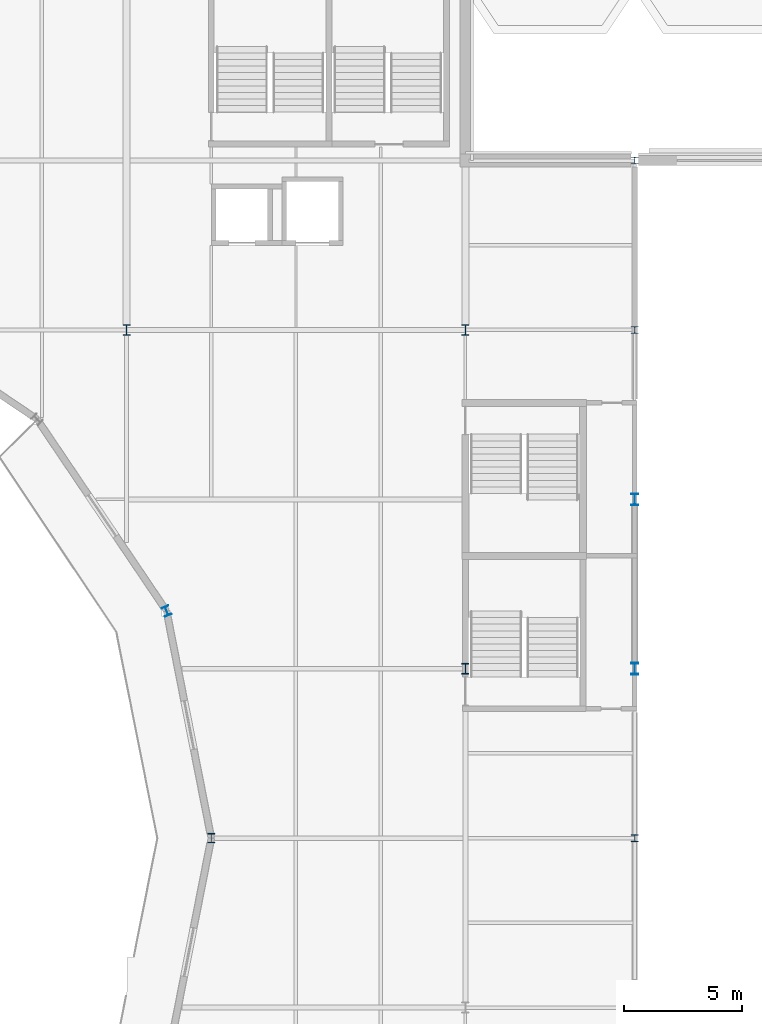
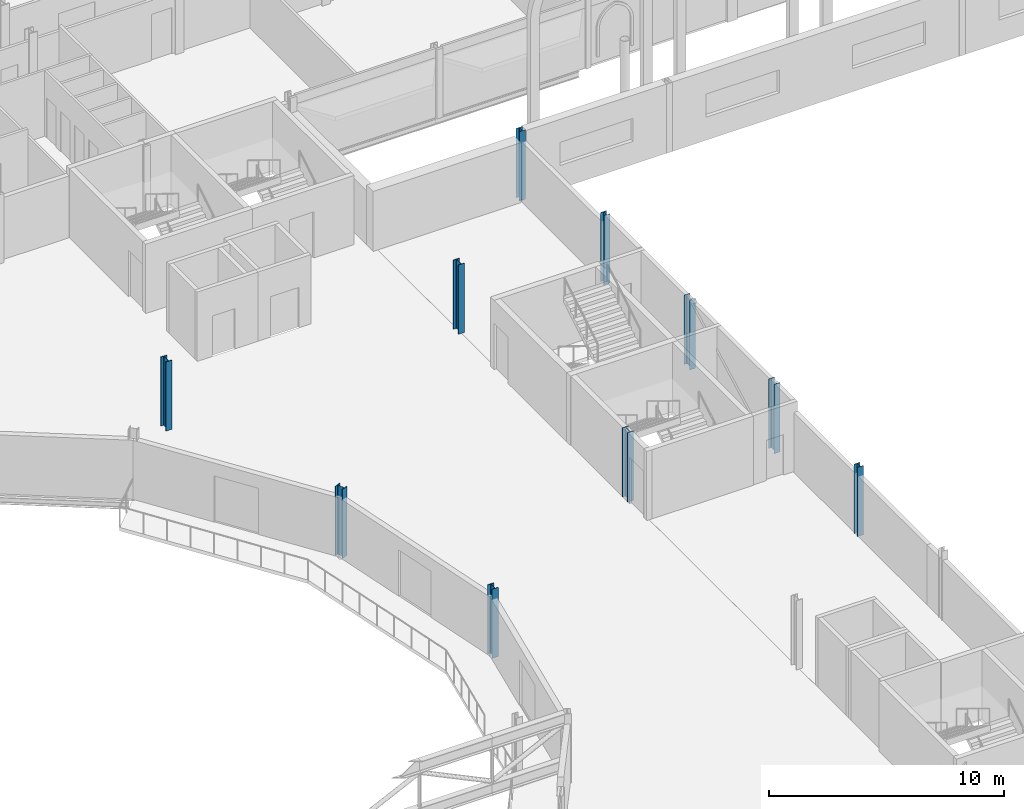
# One storey, part 12 of 143: 10 columns.
"""IFC4 building model written with IfcOpenShell, lengths in metres."""

from ifc_helpers import new_model, si_unit, direction, frame, origin, origin_2d, place, context, subcontext, project, spatial, i_section, extrude, material, material_profile, profile_set, type_object, element, save


model = new_model("IFC4")

# Units and contexts
model_context = context("Model", 3, precision=1e-05, world=origin(), true_north=direction((0.0, 1.0)))
body_context = subcontext(model_context, "Body", "Model", "MODEL_VIEW")
ifc_project = project(units=[si_unit("LENGTHUNIT", "METRE"), si_unit("AREAUNIT", "SQUARE_METRE"), si_unit("VOLUMEUNIT", "CUBIC_METRE"), si_unit("PLANEANGLEUNIT", "RADIAN"), si_unit("MASSUNIT", "GRAM", prefix="KILO")], contexts=[model_context])

# Site, building, storey
site_placement = place(None, origin())
site = spatial("IfcSite", under=ifc_project, at=site_placement, CompositionType="ELEMENT")
building_placement = place(site_placement, origin())
building = spatial("IfcBuilding", under=site, at=building_placement, Name="Kupolbacken Congress Centre", CompositionType="ELEMENT")
storey_placement = place(building_placement, frame((0.0, 0.0, 7.199951171875)))
storey = spatial("IfcBuildingStorey", under=building, at=storey_placement, Name="L02", CompositionType="ELEMENT", Elevation=7.199951171875)

# Columns
ifc_material_1 = material(Name="Steel S355", Category="steel")
ifc_material_profile_1 = material_profile(ifc_material_1, i_section(OverallWidth=0.300048828125, OverallDepth=0.449951171875, WebThickness=0.013916015625, FlangeThickness=0.02587890625, FilletRadius=0.027099609375, at=origin_2d()), Name="HEB 450")
ifc_profile_set_1 = profile_set([ifc_material_profile_1], Name="Steel S355")
column_type_1 = type_object("IfcColumnType", Name="C03 column HEB 450", PredefinedType="COLUMN", material=ifc_profile_set_1)
for number, where, z_axis, x_axis, name in (
    (1, (79.199951171875, 93.60009765625, 0.0), (0.0, 0.0, 1.0), (1.0, 0.0, 0.0), "S/col/C-P-12P/L02"),
    (2, (79.199951171875, 108.0, 0.0), (0.0, 0.0, 1.0), (1.0, 0.0, 0.0), "S/col/C-P-12R/L02"),
    (3, (64.800048828125, 108.0, 0.0), (0.0, 0.0, 1.0), (1.0, 0.0, 0.0), "S/col/C-P-10R/L02"),
):
    element("IfcColumn", number, at=place(storey_placement, frame(where, z_axis=z_axis, x_axis=x_axis)), inside=storey, type_object=column_type_1, Name=name, PredefinedType="COLUMN", context=body_context, shape_type="SweptSolid", body=[
        extrude(i_section(OverallWidth=0.300048828125, OverallDepth=0.449951171875, WebThickness=0.013916015625, FlangeThickness=0.02587890625, FilletRadius=0.027099609375, at=origin_2d()), origin(), (0.0, 0.0, 1.0), 3.60009765625),
    ])
ifc_material_2 = material(Name="Steel S355", Category="steel")
ifc_material_profile_2 = material_profile(ifc_material_2, i_section(OverallWidth=0.300048828125, OverallDepth=0.39990234375, WebThickness=0.013427734375, FlangeThickness=0.02392578125, FilletRadius=0.027099609375, at=origin_2d()), Name="HEB 400")
ifc_profile_set_2 = profile_set([ifc_material_profile_2], Name="Steel S355")
column_type_2 = type_object("IfcColumnType", Name="C08 column HEB 400", PredefinedType="COLUMN", material=ifc_profile_set_2)
for number, where, z_axis, x_axis, name in (
    (4, (68.39990234375, 86.39990234375, 0.0), (0.0, 0.0, 1.0), (1.0, 0.0, 0.0), "S/col/C-D01/L02"),
    (5, (66.5, 96.050048828125, 0.0), (0.0, 0.0, 1.0), (0.923896018243, 0.382643629864, 0.0), "S/col/C-D02/L02"),
):
    element("IfcColumn", number, at=place(storey_placement, frame(where, z_axis=z_axis, x_axis=x_axis)), inside=storey, type_object=column_type_2, Name=name, PredefinedType="COLUMN", context=body_context, shape_type="SweptSolid", body=[
        extrude(i_section(OverallWidth=0.300048828125, OverallDepth=0.39990234375, WebThickness=0.013427734375, FlangeThickness=0.02392578125, FilletRadius=0.027099609375, at=origin_2d()), origin(), (0.0, 0.0, 1.0), 3.60009765625),
    ])
ifc_material_3 = material(Name="Steel S355", Category="steel")
ifc_material_profile_3 = material_profile(ifc_material_3, i_section(OverallWidth=0.300048828125, OverallDepth=0.2900390625, WebThickness=0.008544921875, FlangeThickness=0.013916015625, FilletRadius=0.027099609375, at=origin_2d()), Name="HEA 300")
ifc_profile_set_3 = profile_set([ifc_material_profile_3], Name="Steel S355")
column_type_3 = type_object("IfcColumnType", Name="C09 column HEA 300", PredefinedType="COLUMN", material=ifc_profile_set_3)
for number, where, z_axis, x_axis, name in (
    (6, (86.39990234375, 86.39990234375, 0.0), (0.0, 0.0, 1.0), (1.0, 0.0, 0.0), "S/col/C-H-PW07/L02"),
    (7, (86.39990234375, 108.0, 0.0), (0.0, 0.0, 1.0), (1.0, 0.0, 0.0), "S/col/C-H-PW10/L02"),
    (8, (86.39990234375, 115.199951171875, 0.0), (0.0, 0.0, 1.0), (1.0, 0.0, 0.0), "S/col/C-H-PW11/L02"),
):
    element("IfcColumn", number, at=place(storey_placement, frame(where, z_axis=z_axis, x_axis=x_axis)), inside=storey, type_object=column_type_3, Name=name, PredefinedType="COLUMN", context=body_context, shape_type="SweptSolid", body=[
        extrude(i_section(OverallWidth=0.300048828125, OverallDepth=0.2900390625, WebThickness=0.008544921875, FlangeThickness=0.013916015625, FilletRadius=0.027099609375, at=origin_2d()), origin(), (0.0, 0.0, 1.0), 3.60009765625),
    ])
ifc_material_4 = material(Name="Steel S355", Category="steel")
ifc_material_profile_4 = material_profile(ifc_material_4, i_section(OverallWidth=0.300048828125, OverallDepth=0.489990234375, WebThickness=0.011962890625, FlangeThickness=0.02294921875, FilletRadius=0.027099609375, at=origin_2d()), Name="HEA 500")
ifc_profile_set_4 = profile_set([ifc_material_profile_4], Name="Steel S355")
column_type_4 = type_object("IfcColumnType", Name="C14 column HEA 500", PredefinedType="COLUMN", material=ifc_profile_set_4)
for number, where, z_axis, x_axis, name in (
    (9, (86.39990234375, 93.60009765625, 0.0), (0.0, 0.0, 1.0), (1.0, 0.0, 0.0), "S/col/C-H-PW08/L02"),
    (10, (86.39990234375, 100.800048828125, 0.0), (0.0, 0.0, 1.0), (1.0, 0.0, 0.0), "S/col/C-H-PW09/L02"),
):
    element("IfcColumn", number, at=place(storey_placement, frame(where, z_axis=z_axis, x_axis=x_axis)), inside=storey, type_object=column_type_4, Name=name, PredefinedType="COLUMN", context=body_context, shape_type="SweptSolid", body=[
        extrude(i_section(OverallWidth=0.300048828125, OverallDepth=0.489990234375, WebThickness=0.011962890625, FlangeThickness=0.02294921875, FilletRadius=0.027099609375, at=origin_2d()), origin(), (0.0, 0.0, 1.0), 3.60009765625),
    ])

save(model, "model.ifc")
